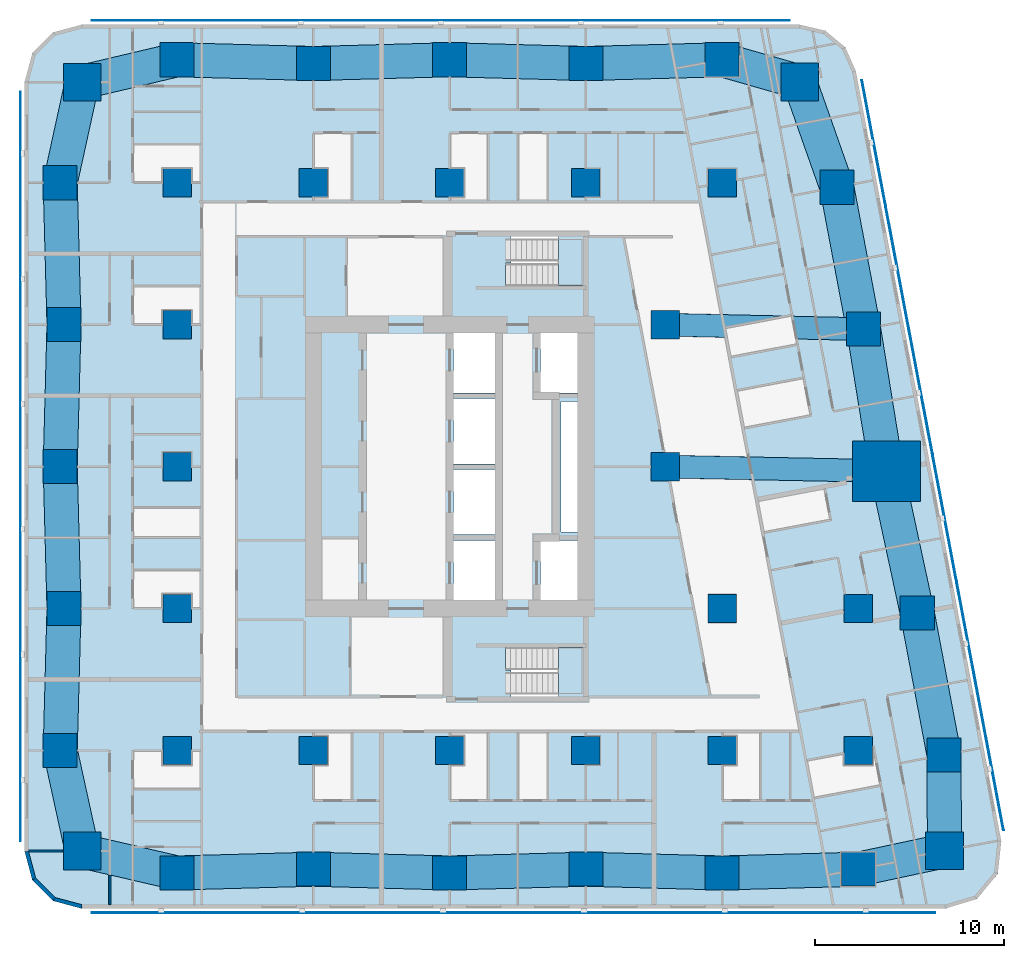
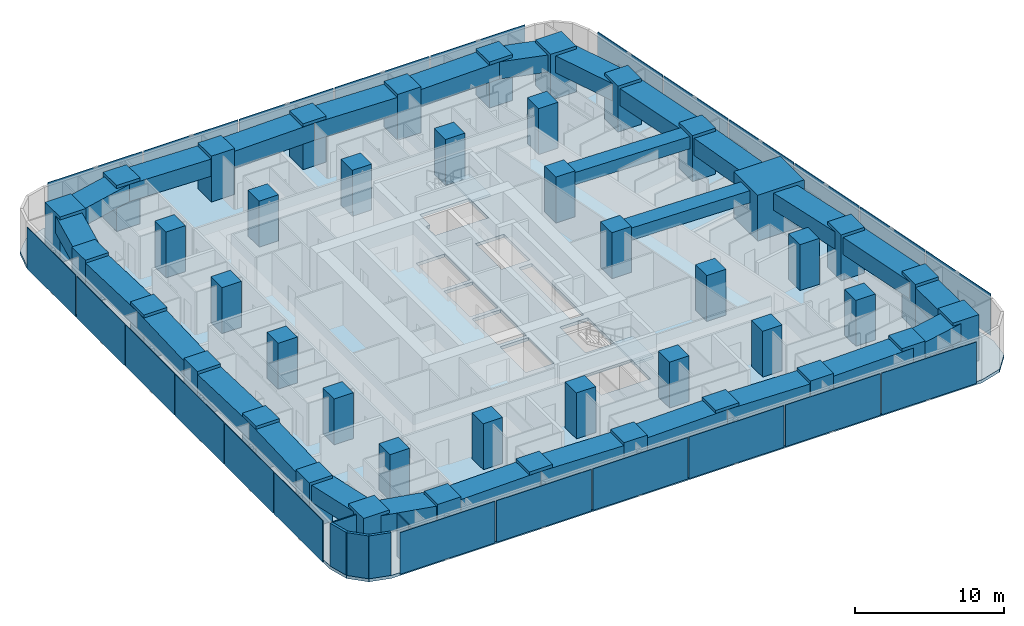
# One storey, part 1 of 15: 43 columns, 27 beams, 23 plates, 5 walls, 3 slabs, 2 elements without a shape of their own.
"""IFC4 building model written with IfcOpenShell, lengths in metres."""

from ifc_helpers import new_model, si_unit, direction, frame, frame_2d, origin, origin_2d, place, context, subcontext, project, spatial, polyline, rectangle, outline, extrude, material, layer, layer_set, material_profile, profile_set, type_object, element, aggregate, save


model = new_model("IFC4")

# Units and contexts
model_context = context("Model", 3, precision=1e-05, world=origin(), true_north=direction((0.0, 1.0)))
body_context = subcontext(model_context, "Body", "Model", "MODEL_VIEW")
ifc_project = project(units=[si_unit("LENGTHUNIT", "METRE"), si_unit("AREAUNIT", "SQUARE_METRE"), si_unit("VOLUMEUNIT", "CUBIC_METRE"), si_unit("PLANEANGLEUNIT", "RADIAN"), si_unit("MASSUNIT", "GRAM", prefix="KILO")], contexts=[model_context])

# Site, building, storey
site_placement = place(None, origin())
site = spatial("IfcSite", under=ifc_project, at=site_placement, CompositionType="ELEMENT")
building_placement = place(site_placement, origin())
building = spatial("IfcBuilding", under=site, at=building_placement, Name="Sheger Commons Tower", CompositionType="ELEMENT")
storey_placement = place(building_placement, frame((0.0, 0.0, 139.550048828125)))
storey = spatial("IfcBuildingStorey", under=building, at=storey_placement, Name="L35", CompositionType="ELEMENT", Elevation=139.550048828125)

# Columns
ifc_material_1 = material(Name="Concrete C50/60", Category="concrete")
ifc_material_profile_1 = material_profile(ifc_material_1, rectangle(XDim=3.60009765625, YDim=3.199951171875, at=origin_2d()), Name="RC 3600x3200")
ifc_profile_set_1 = profile_set([ifc_material_profile_1], Name="Concrete C50/60")
column_type_1 = type_object("IfcColumnType", Name="COLUMN PIER RC 3600x3200", PredefinedType="COLUMN", material=ifc_profile_set_1)
column_placement = place(storey_placement, frame((44.697021484375, 22.262939453125, 0.0), z_axis=(0.0, 0.0, 1.0), x_axis=(1.0, 0.0, 0.0)))
element("IfcColumn", 1, at=column_placement, inside=storey, type_object=column_type_1, Name="Pier 7/D+E/D L35", PredefinedType="COLUMN", context=body_context, shape_type="SweptSolid", body=[
    extrude(rectangle(XDim=3.60009765625, YDim=3.199951171875, at=origin_2d()), origin(), (0.0, 0.0, 1.0), 3.75),
])
ifc_material_2 = material(Name="Concrete C50/60", Category="concrete")
ifc_material_profile_2 = material_profile(ifc_material_2, rectangle(XDim=1.5, YDim=1.5, at=origin_2d()), Name="RC 1500x1500")
ifc_profile_set_2 = profile_set([ifc_material_profile_2], Name="Concrete C50/60")
column_type_2 = type_object("IfcColumnType", Name="COLUMN RC 1500x1500", PredefinedType="COLUMN", material=ifc_profile_set_2)
for number, where, z_axis, x_axis, name in (
    (2, (7.199951171875, 7.5, 0.0), (0.0, 0.0, 1.0), (1.0, 0.0, 0.0), "Column 2/B L35"),
    (3, (14.39990234375, 7.5, 0.0), (0.0, 0.0, 1.0), (1.0, 0.0, 0.0), "Column 3/B L35"),
    (4, (21.60009765625, 7.5, 0.0), (0.0, 0.0, 1.0), (1.0, 0.0, 0.0), "Column 4/B L35"),
    (5, (28.800048828125, 7.5, 0.0), (0.0, 0.0, 1.0), (1.0, 0.0, 0.0), "Column 5/B L35"),
    (6, (36.0, 7.5, 0.0), (0.0, 0.0, 1.0), (1.0, 0.0, 0.0), "Column 6/B L35"),
    (7, (43.199951171875, 7.5, 0.0), (0.0, 0.0, 1.0), (1.0, 0.0, 0.0), "Column 7/B L35"),
    (8, (7.199951171875, 15.0, 0.0), (0.0, 0.0, 1.0), (1.0, 0.0, 0.0), "Column 2/C L35"),
    (9, (36.0, 15.0, 0.0), (0.0, 0.0, 1.0), (1.0, 0.0, 0.0), "Column 6/C L35"),
    (10, (43.199951171875, 15.0, 0.0), (0.0, 0.0, 1.0), (1.0, 0.0, 0.0), "Column 7/C L35"),
    (11, (7.199951171875, 22.5, 0.0), (0.0, 0.0, 1.0), (1.0, 0.0, 0.0), "Column 2/D L35"),
    (12, (33.0, 22.5, 0.0), (0.0, 0.0, 1.0), (1.0, 0.0, 0.0), "Column 6-3000/D L35"),
    (13, (7.199951171875, 30.0, 0.0), (0.0, 0.0, 1.0), (1.0, 0.0, 0.0), "Column 2/E L35"),
    (14, (33.0, 30.0, 0.0), (0.0, 0.0, 1.0), (1.0, 0.0, 0.0), "Column 6-3000/E L35"),
    (15, (7.199951171875, 37.5, 0.0), (0.0, 0.0, 1.0), (1.0, 0.0, 0.0), "Column 2/F L35"),
    (16, (14.39990234375, 37.5, 0.0), (0.0, 0.0, 1.0), (1.0, 0.0, 0.0), "Column 3/F L35"),
    (17, (21.60009765625, 37.5, 0.0), (0.0, 0.0, 1.0), (1.0, 0.0, 0.0), "Column 4/F L35"),
    (18, (28.800048828125, 37.5, 0.0), (0.0, 0.0, 1.0), (1.0, 0.0, 0.0), "Column 5/F L35"),
    (19, (36.0, 37.5, 0.0), (0.0, 0.0, 1.0), (1.0, 0.0, 0.0), "Column 6/F L35"),
):
    element("IfcColumn", number, at=place(storey_placement, frame(where, z_axis=z_axis, x_axis=x_axis)), inside=storey, type_object=column_type_2, Name=name, PredefinedType="COLUMN", context=body_context, shape_type="SweptSolid", body=[
        extrude(rectangle(XDim=1.5, YDim=1.5, at=origin_2d()), origin(), (0.0, 0.0, 1.0), 3.75),
    ])
ifc_material_3 = material(Name="Concrete C50/60", Category="concrete")
ifc_material_profile_3 = material_profile(ifc_material_3, rectangle(XDim=1.800048828125, YDim=1.800048828125, at=origin_2d()), Name="RC 1800x1800")
ifc_profile_set_3 = profile_set([ifc_material_profile_3], Name="Concrete C50/60")
column_type_3 = type_object("IfcColumnType", Name="COLUMN RC 1800x1800", PredefinedType="COLUMN", material=ifc_profile_set_3)
for number, where, z_axis, x_axis, name in (
    (20, (7.199951171875, 1.02490234375, 0.0), (0.0, 0.0, 1.0), (1.0, 0.0, 0.0), "Column 2/A L35"),
    (21, (14.39990234375, 1.22509765625, 0.0), (0.0, 0.0, 1.0), (1.0, 0.0, 0.0), "Column 3/A L35"),
    (22, (21.60009765625, 1.02490234375, 0.0), (0.0, 0.0, 1.0), (1.0, 0.0, 0.0), "Column 4/A L35"),
    (23, (28.800048828125, 1.22509765625, 0.0), (0.0, 0.0, 1.0), (1.0, 0.0, 0.0), "Column 5/A L35"),
    (24, (36.0, 1.02490234375, 0.0), (0.0, 0.0, 1.0), (1.0, 0.0, 0.0), "Column 6/A L35"),
    (25, (43.199951171875, 1.22509765625, 0.0), (0.0, 0.0, 1.0), (1.0, 0.0, 0.0), "Column 7/A L35"),
    (26, (1.02490234375, 7.5, 0.0), (0.0, 0.0, 1.0), (1.0, 0.0, 0.0), "Column 1/B L35"),
    (27, (47.72998046875, 7.262939453125, 0.0), (0.0, 0.0, 1.0), (1.0, 0.0, 0.0), "Column E/B L35"),
    (28, (1.22509765625, 15.0, 0.0), (0.0, 0.0, 1.0), (1.0, 0.0, 0.0), "Column 1/C L35"),
    (29, (46.31396484375, 14.762939453125, 0.0), (0.0, 0.0, 1.0), (1.0, 0.0, 0.0), "Column E/C L35"),
    (30, (1.02490234375, 22.5, 0.0), (0.0, 0.0, 1.0), (1.0, 0.0, 0.0), "Column 1/D L35"),
    (31, (1.22509765625, 30.0, 0.0), (0.0, 0.0, 1.0), (1.0, 0.0, 0.0), "Column 1/E L35"),
    (32, (43.47998046875, 29.762939453125, 0.0), (0.0, 0.0, 1.0), (1.0, 0.0, 0.0), "Column E/E L35"),
    (33, (1.02490234375, 37.5, 0.0), (0.0, 0.0, 1.0), (1.0, 0.0, 0.0), "Column 1/F L35"),
    (34, (42.06396484375, 37.262939453125, 0.0), (0.0, 0.0, 1.0), (1.0, 0.0, 0.0), "Column E/F L35"),
    (35, (7.199951171875, 44.0, 0.0), (0.0, 0.0, 1.0), (1.0, 0.0, 0.0), "Column 2/G L35"),
    (36, (14.39990234375, 43.800048828125, 0.0), (0.0, 0.0, 1.0), (1.0, 0.0, 0.0), "Column 3/G L35"),
    (37, (21.60009765625, 44.0, 0.0), (0.0, 0.0, 1.0), (1.0, 0.0, 0.0), "Column 4/G L35"),
    (38, (28.800048828125, 43.800048828125, 0.0), (0.0, 0.0, 1.0), (1.0, 0.0, 0.0), "Column 5/G L35"),
    (39, (36.0, 44.0, 0.0), (0.0, 0.0, 1.0), (1.0, 0.0, 0.0), "Column 6/G L35"),
):
    element("IfcColumn", number, at=place(storey_placement, frame(where, z_axis=z_axis, x_axis=x_axis)), inside=storey, type_object=column_type_3, Name=name, PredefinedType="COLUMN", context=body_context, shape_type="SweptSolid", body=[
        extrude(rectangle(XDim=1.800048828125, YDim=1.800048828125, at=origin_2d()), origin(), (0.0, 0.0, 1.0), 3.75),
    ])
ifc_material_4 = material(Name="Concrete C50/60", Category="concrete")
ifc_material_profile_4 = material_profile(ifc_material_4, rectangle(XDim=2.0, YDim=2.0, at=origin_2d()), Name="RC 2000x2000")
ifc_profile_set_4 = profile_set([ifc_material_profile_4], Name="Concrete C50/60")
column_type_4 = type_object("IfcColumnType", Name="COLUMN RC 2000x2000", PredefinedType="COLUMN", material=ifc_profile_set_4)
for number, where, z_axis, x_axis, name in (
    (40, (2.18603515625, 2.18603515625, 0.0), (0.0, 0.0, 1.0), (1.0, 0.0, 0.0), "Column 0.630,0.630 L35"),
    (41, (47.748046875, 2.197021484375, 0.0), (0.0, 0.0, 1.0), (1.0, 0.0, 0.0), "Column 49.461,0.778 L35"),
    (42, (2.18603515625, 42.81396484375, 0.0), (0.0, 0.0, 1.0), (1.0, 0.0, 0.0), "Column 0.630,44.370 L35"),
    (43, (40.10205078125, 42.830078125, 0.0), (0.0, 0.0, 1.0), (1.0, 0.0, 0.0), "Column 41.490,44.505 L35"),
):
    element("IfcColumn", number, at=place(storey_placement, frame(where, z_axis=z_axis, x_axis=x_axis)), inside=storey, type_object=column_type_4, Name=name, PredefinedType="COLUMN", context=body_context, shape_type="SweptSolid", body=[
        extrude(rectangle(XDim=2.0, YDim=2.0, at=origin_2d()), origin(), (0.0, 0.0, 1.0), 3.75),
    ])

# Beams
ifc_material_5 = material(Name="Concrete C50/60", Category="concrete")
ifc_material_profile_5 = material_profile(ifc_material_5, rectangle(XDim=1.199951171875, YDim=1.0, at=origin_2d()), Name="RC 1200x1000")
ifc_profile_set_5 = profile_set([ifc_material_profile_5], Name="Concrete C50/60")
beam_type_1 = type_object("IfcBeamType", Name="BEAM RC 1200x1000", PredefinedType="BEAM", material=ifc_profile_set_5)
beam_1_placement = place(storey_placement, frame((33.0, 22.5, 3.0), z_axis=(0.999794692776, -0.02026258368, 0.0), x_axis=(0.02026258368, 0.999794692776, 0.0)))
element("IfcBeam", 44, at=beam_1_placement, inside=storey, type_object=beam_type_1, Name="Beam 6-3000/D-7/D under L36", PredefinedType="BEAM", context=body_context, shape_type="SweptSolid", body=[
    extrude(rectangle(XDim=1.199951171875, YDim=1.0, at=origin_2d()), origin(), (0.0, 0.0, 1.0), 11.699462890625),
])
beam_2_placement = place(storey_placement, frame((33.0, 30.0, 3.0), z_axis=(0.999744258625, -0.022614538395, 0.0), x_axis=(0.022614538395, 0.999744258625, 0.0)))
element("IfcBeam", 45, at=beam_2_placement, inside=storey, type_object=beam_type_1, Name="Beam 6-3000/E-E/E under L36", PredefinedType="BEAM", context=body_context, shape_type="SweptSolid", body=[
    extrude(rectangle(XDim=1.199951171875, YDim=1.0, at=origin_2d()), origin(), (0.0, 0.0, 1.0), 10.482666015625),
])
ifc_material_6 = material(Name="Concrete C50/60", Category="concrete")
ifc_material_profile_6 = material_profile(ifc_material_6, rectangle(XDim=1.800048828125, YDim=1.39990234375, at=origin_2d()), Name="RC 1800x1400")
ifc_profile_set_6 = profile_set([ifc_material_profile_6], Name="Concrete C50/60")
beam_type_2 = type_object("IfcBeamType", Name="SPANDREL RC 1800x1400", PredefinedType="SPANDREL", material=ifc_profile_set_6)
beam_3_placement = place(storey_placement, frame((2.18603515625, 2.18603515625, 2.800048828125), z_axis=(0.974217413499, -0.225611239159, 0.0), x_axis=(0.225611239159, 0.974217413499, 0.0)))
element("IfcBeam", 46, at=beam_3_placement, inside=storey, type_object=beam_type_2, Name="Beam 0.630,0.630-2/A under L36", PredefinedType="SPANDREL", context=body_context, shape_type="SweptSolid", body=[
    extrude(rectangle(XDim=1.800048828125, YDim=1.39990234375, at=origin_2d()), origin(), (0.0, 0.0, 1.0), 5.146728515625),
])
beam_4_placement = place(storey_placement, frame((7.199951171875, 1.02490234375, 2.800048828125), z_axis=(0.9996136624, 0.027794350926, 0.0), x_axis=(-0.027794350926, 0.9996136624, 0.0)))
element("IfcBeam", 47, at=beam_4_placement, inside=storey, type_object=beam_type_2, Name="Beam 2/A-3/A under L36", PredefinedType="SPANDREL", context=body_context, shape_type="SweptSolid", body=[
    extrude(rectangle(XDim=1.800048828125, YDim=1.39990234375, at=origin_2d()), origin(), (0.0, 0.0, 1.0), 7.20263671875),
])
beam_5_placement = place(storey_placement, frame((14.39990234375, 1.22509765625, 2.800048828125), z_axis=(0.999613688584, -0.027793409217, 0.0), x_axis=(0.027793409217, 0.999613688584, 0.0)))
element("IfcBeam", 48, at=beam_5_placement, inside=storey, type_object=beam_type_2, Name="Beam 3/A-4/A under L36", PredefinedType="SPANDREL", context=body_context, shape_type="SweptSolid", body=[
    extrude(rectangle(XDim=1.800048828125, YDim=1.39990234375, at=origin_2d()), origin(), (0.0, 0.0, 1.0), 7.202880859375),
])
for number, where, z_axis, x_axis, name in (
    (49, (21.60009765625, 1.02490234375, 2.800048828125), (0.9996136624, 0.027794350926, 0.0), (-0.027794350926, 0.9996136624, 0.0), "Beam 4/A-5/A under L36"),
    (50, (28.800048828125, 1.22509765625, 2.800048828125), (0.9996136624, -0.027794350926, 0.0), (0.027794350926, 0.9996136624, 0.0), "Beam 5/A-6/A under L36"),
    (51, (36.0, 1.02490234375, 2.800048828125), (0.9996136624, 0.027794350926, 0.0), (-0.027794350926, 0.9996136624, 0.0), "Beam 6/A-7/A under L36"),
):
    element("IfcBeam", number, at=place(storey_placement, frame(where, z_axis=z_axis, x_axis=x_axis)), inside=storey, type_object=beam_type_2, Name=name, PredefinedType="SPANDREL", context=body_context, shape_type="SweptSolid", body=[
        extrude(rectangle(XDim=1.800048828125, YDim=1.39990234375, at=origin_2d()), origin(), (0.0, 0.0, 1.0), 7.20263671875),
    ])
beam_6_placement = place(storey_placement, frame((43.199951171875, 1.22509765625, 2.800048828125), z_axis=(0.977919796671, 0.208980552394, 0.0), x_axis=(-0.208980552394, 0.977919796671, 0.0)))
element("IfcBeam", 52, at=beam_6_placement, inside=storey, type_object=beam_type_2, Name="Beam 7/A-49.461,0.778 under L36", PredefinedType="SPANDREL", context=body_context, shape_type="SweptSolid", body=[
    extrude(rectangle(XDim=1.800048828125, YDim=1.39990234375, at=origin_2d()), origin(), (0.0, 0.0, 1.0), 4.65087890625),
])
beam_7_placement = place(storey_placement, frame((47.748046875, 2.197021484375, 2.800048828125), z_axis=(-0.003566242382, 0.999993640937, 0.0), x_axis=(-0.999993640937, -0.003566242382, 0.0)))
element("IfcBeam", 53, at=beam_7_placement, inside=storey, type_object=beam_type_2, Name="Beam 49.461,0.778-E/B under L36", PredefinedType="SPANDREL", context=body_context, shape_type="SweptSolid", body=[
    extrude(rectangle(XDim=1.800048828125, YDim=1.39990234375, at=origin_2d()), origin(), (0.0, 0.0, 1.0), 5.06591796875),
])
beam_8_placement = place(storey_placement, frame((47.72998046875, 7.262939453125, 2.800048828125), z_axis=(-0.18552441405, 0.982639655108, 0.0), x_axis=(-0.982639655108, -0.18552441405, 0.0)))
element("IfcBeam", 54, at=beam_8_placement, inside=storey, type_object=beam_type_2, Name="Beam E/B-E/C under L36", PredefinedType="SPANDREL", context=body_context, shape_type="SweptSolid", body=[
    extrude(rectangle(XDim=1.800048828125, YDim=1.39990234375, at=origin_2d()), origin(), (0.0, 0.0, 1.0), 7.632568359375),
])
beam_9_placement = place(storey_placement, frame((46.31396484375, 14.762939453125, 2.800048828125), z_axis=(-0.210750229323, 0.977539943348, 0.0), x_axis=(-0.977539943348, -0.210750229323, 0.0)))
element("IfcBeam", 55, at=beam_9_placement, inside=storey, type_object=beam_type_2, Name="Beam E/C-E/D under L36", PredefinedType="SPANDREL", context=body_context, shape_type="SweptSolid", body=[
    extrude(rectangle(XDim=1.800048828125, YDim=1.39990234375, at=origin_2d()), origin(), (0.0, 0.0, 1.0), 7.67236328125),
])
beam_10_placement = place(storey_placement, frame((44.697021484375, 22.262939453125, 2.800048828125), z_axis=(-0.160176929512, 0.987088319884, 0.0), x_axis=(-0.987088319884, -0.160176929512, 0.0)))
element("IfcBeam", 56, at=beam_10_placement, inside=storey, type_object=beam_type_2, Name="Beam E/D-E/E under L36", PredefinedType="SPANDREL", context=body_context, shape_type="SweptSolid", body=[
    extrude(rectangle(XDim=1.800048828125, YDim=1.39990234375, at=origin_2d()), origin(), (0.0, 0.0, 1.0), 7.59814453125),
])
beam_11_placement = place(storey_placement, frame((43.47998046875, 29.762939453125, 2.800048828125), z_axis=(-0.18552441405, 0.982639655108, 0.0), x_axis=(-0.982639655108, -0.18552441405, 0.0)))
element("IfcBeam", 57, at=beam_11_placement, inside=storey, type_object=beam_type_2, Name="Beam E/E-E/F under L36", PredefinedType="SPANDREL", context=body_context, shape_type="SweptSolid", body=[
    extrude(rectangle(XDim=1.800048828125, YDim=1.39990234375, at=origin_2d()), origin(), (0.0, 0.0, 1.0), 7.632568359375),
])
beam_12_placement = place(storey_placement, frame((42.06396484375, 37.262939453125, 2.800048828125), z_axis=(-0.332374403357, 0.943147526102, 0.0), x_axis=(-0.943147526102, -0.332374403357, 0.0)))
element("IfcBeam", 58, at=beam_12_placement, inside=storey, type_object=beam_type_2, Name="Beam E/F-41.490,44.505 under L36", PredefinedType="SPANDREL", context=body_context, shape_type="SweptSolid", body=[
    extrude(rectangle(XDim=1.800048828125, YDim=1.39990234375, at=origin_2d()), origin(), (0.0, 0.0, 1.0), 5.90283203125),
])
beam_13_placement = place(storey_placement, frame((40.10205078125, 42.830078125, 2.800048828125), z_axis=(-0.961653428129, 0.274267541221, 0.0), x_axis=(-0.274267541221, -0.961653428129, 0.0)))
element("IfcBeam", 59, at=beam_13_placement, inside=storey, type_object=beam_type_2, Name="Beam 41.490,44.505-6/G under L36", PredefinedType="SPANDREL", context=body_context, shape_type="SweptSolid", body=[
    extrude(rectangle(XDim=1.800048828125, YDim=1.39990234375, at=origin_2d()), origin(), (0.0, 0.0, 1.0), 4.265625),
])
for number, where, z_axis, x_axis, name in (
    (60, (36.0, 44.0, 2.800048828125), (-0.999614603568, -0.027760481514, 0.0), (0.027760481514, -0.999614603568, 0.0), "Beam 6/G-5/G under L36"),
    (61, (28.800048828125, 43.800048828125, 2.800048828125), (-0.999614603568, 0.027760481514, 0.0), (-0.027760481514, -0.999614603568, 0.0), "Beam 5/G-4/G under L36"),
):
    element("IfcBeam", number, at=place(storey_placement, frame(where, z_axis=z_axis, x_axis=x_axis)), inside=storey, type_object=beam_type_2, Name=name, PredefinedType="SPANDREL", context=body_context, shape_type="SweptSolid", body=[
        extrude(rectangle(XDim=1.800048828125, YDim=1.39990234375, at=origin_2d()), origin(), (0.0, 0.0, 1.0), 7.20263671875),
    ])
beam_14_placement = place(storey_placement, frame((21.60009765625, 44.0, 2.800048828125), z_axis=(-0.999614629688, -0.027759540951, 0.0), x_axis=(0.027759540951, -0.999614629688, 0.0)))
element("IfcBeam", 62, at=beam_14_placement, inside=storey, type_object=beam_type_2, Name="Beam 4/G-3/G under L36", PredefinedType="SPANDREL", context=body_context, shape_type="SweptSolid", body=[
    extrude(rectangle(XDim=1.800048828125, YDim=1.39990234375, at=origin_2d()), origin(), (0.0, 0.0, 1.0), 7.202880859375),
])
beam_15_placement = place(storey_placement, frame((14.39990234375, 43.800048828125, 2.800048828125), z_axis=(-0.999614603568, 0.027760481514, 0.0), x_axis=(-0.027760481514, -0.999614603568, 0.0)))
element("IfcBeam", 63, at=beam_15_placement, inside=storey, type_object=beam_type_2, Name="Beam 3/G-2/G under L36", PredefinedType="SPANDREL", context=body_context, shape_type="SweptSolid", body=[
    extrude(rectangle(XDim=1.800048828125, YDim=1.39990234375, at=origin_2d()), origin(), (0.0, 0.0, 1.0), 7.20263671875),
])
beam_16_placement = place(storey_placement, frame((7.199951171875, 44.0, 2.800048828125), z_axis=(-0.97314428949, -0.230195985701, 0.0), x_axis=(0.230195985701, -0.97314428949, 0.0)))
element("IfcBeam", 64, at=beam_16_placement, inside=storey, type_object=beam_type_2, Name="Beam 2/G-0.630,44.370 under L36", PredefinedType="SPANDREL", context=body_context, shape_type="SweptSolid", body=[
    extrude(rectangle(XDim=1.800048828125, YDim=1.39990234375, at=origin_2d()), origin(), (0.0, 0.0, 1.0), 5.15234375),
])
beam_17_placement = place(storey_placement, frame((2.18603515625, 42.81396484375, 2.800048828125), z_axis=(-0.213469314652, -0.976949769283, 0.0), x_axis=(0.976949769283, -0.213469314652, 0.0)))
element("IfcBeam", 65, at=beam_17_placement, inside=storey, type_object=beam_type_2, Name="Beam 0.630,44.370-1/F under L36", PredefinedType="SPANDREL", context=body_context, shape_type="SweptSolid", body=[
    extrude(rectangle(XDim=1.800048828125, YDim=1.39990234375, at=origin_2d()), origin(), (0.0, 0.0, 1.0), 5.439453125),
])
for number, where, z_axis, x_axis, name in (
    (66, (1.02490234375, 37.5, 2.800048828125), (0.026683204125, -0.999643939919, 0.0), (0.999643939919, 0.026683204125, 0.0), "Beam 1/F-1/E under L36"),
    (67, (1.22509765625, 30.0, 2.800048828125), (-0.026683204125, -0.999643939919, 0.0), (0.999643939919, -0.026683204125, 0.0), "Beam 1/E-1/D under L36"),
    (68, (1.02490234375, 22.5, 2.800048828125), (0.026683204125, -0.999643939919, 0.0), (0.999643939919, 0.026683204125, 0.0), "Beam 1/D-1/C under L36"),
    (69, (1.22509765625, 15.0, 2.800048828125), (-0.026683204125, -0.999643939919, 0.0), (0.999643939919, -0.026683204125, 0.0), "Beam 1/C-1/B under L36"),
):
    element("IfcBeam", number, at=place(storey_placement, frame(where, z_axis=z_axis, x_axis=x_axis)), inside=storey, type_object=beam_type_2, Name=name, PredefinedType="SPANDREL", context=body_context, shape_type="SweptSolid", body=[
        extrude(rectangle(XDim=1.800048828125, YDim=1.39990234375, at=origin_2d()), origin(), (0.0, 0.0, 1.0), 7.502685546875),
    ])
beam_18_placement = place(storey_placement, frame((1.02490234375, 7.5, 2.800048828125), z_axis=(0.213469314652, -0.976949769283, 0.0), x_axis=(0.976949769283, 0.213469314652, 0.0)))
element("IfcBeam", 70, at=beam_18_placement, inside=storey, type_object=beam_type_2, Name="Beam 1/B-0.630,0.630 under L36", PredefinedType="SPANDREL", context=body_context, shape_type="SweptSolid", body=[
    extrude(rectangle(XDim=1.800048828125, YDim=1.39990234375, at=origin_2d()), origin(), (0.0, 0.0, 1.0), 5.439453125),
])

# Slab
ifc_material_7 = material(Name="Concrete C35/45", Category="concrete")
ifc_layer_1 = layer(ifc_material_7, 0.25)
ifc_layer_set_1 = layer_set([ifc_layer_1], Name="SLAB FLOOR 250")
slab_type_1 = type_object("IfcSlabType", Name="SLAB FLOOR 250", PredefinedType="FLOOR", material=ifc_layer_set_1)
slab_1_placement = place(storey_placement, frame((0.0, 0.0, -0.25)))
element("IfcSlab", 71, at=slab_1_placement, inside=storey, type_object=slab_type_1, Name="L35 floor slab", PredefinedType="FLOOR", context=body_context, shape_type="SweptSolid", body=[
    extrude(outline(polyline([(-0.85009765625, 2.14990234375), (-0.447998046875, 0.64990234375), (0.64990234375, -0.447998046875), (2.14990234375, -0.85009765625), (47.805908203125, -0.85009765625), (49.465087890625, -0.35009765625), (50.570068359375, 0.98388671875), (50.75390625, 2.70703125), (43.06591796875, 43.406982421875), (42.509033203125, 44.660888671875), (41.452880859375, 45.535888671875), (40.117919921875, 45.85009765625), (2.14990234375, 45.85009765625), (0.64990234375, 45.447998046875), (-0.447998046875, 44.35009765625), (-0.85009765625, 42.85009765625), (-0.85009765625, 2.14990234375)]), holes=[polyline([(24.85009765625, 10.35009765625), (28.64990234375, 10.35009765625), (28.64990234375, 12.949951171875), (24.551025390625, 12.949951171875), (24.551025390625, 11.75), (24.85009765625, 11.75), (24.85009765625, 10.35009765625)]), polyline([(24.551025390625, 32.050048828125), (28.64990234375, 32.050048828125), (28.64990234375, 34.64990234375), (24.85009765625, 34.64990234375), (24.85009765625, 33.25), (24.551025390625, 33.25), (24.551025390625, 32.050048828125)]), polyline([(26.39990234375, 15.14990234375), (28.60009765625, 15.14990234375), (28.60009765625, 18.60009765625), (26.39990234375, 18.60009765625), (26.39990234375, 15.14990234375)]), polyline([(26.39990234375, 26.39990234375), (28.60009765625, 26.39990234375), (28.60009765625, 29.85009765625), (26.39990234375, 29.85009765625), (26.39990234375, 26.39990234375)]), polyline([(21.800048828125, 15.14990234375), (24.0, 15.14990234375), (24.0, 18.60009765625), (21.800048828125, 18.60009765625), (21.800048828125, 15.14990234375)]), polyline([(21.800048828125, 18.89990234375), (24.0, 18.89990234375), (24.0, 22.35009765625), (21.800048828125, 22.35009765625), (21.800048828125, 18.89990234375)]), polyline([(21.800048828125, 22.64990234375), (24.0, 22.64990234375), (24.0, 26.10009765625), (21.800048828125, 26.10009765625), (21.800048828125, 22.64990234375)]), polyline([(21.800048828125, 26.39990234375), (24.0, 26.39990234375), (24.0, 29.85009765625), (21.800048828125, 29.85009765625), (21.800048828125, 26.39990234375)]), polyline([(27.5, 19.050048828125), (28.5, 19.050048828125), (28.5, 25.949951171875), (27.5, 25.949951171875), (27.5, 19.050048828125)])]), origin(), (0.0, 0.0, 1.0), 0.25),
])

# Plates
ifc_material_8 = material(Name="Perforated black anodised aluminium screen", Category="aluminium")
ifc_layer_2 = layer(ifc_material_8, 0.050048828125)
ifc_layer_set_2 = layer_set([ifc_layer_2], Name="SOLAR SCREEN SCREEN-1")
plate_type = type_object("IfcPlateType", Name="SOLAR SCREEN SCREEN-1", PredefinedType="USERDEFINED", material=ifc_layer_set_2)
for number, where, z_axis, x_axis, name in (
    (72, (6.37109375, -1.074951171875, 0.050048828125), (0.0, 0.0, 1.0), (1.0, 0.0, 0.0), "Perforated solar screen panel"),
    (73, (13.81396484375, -1.074951171875, 0.050048828125), (0.0, 0.0, 1.0), (1.0, 0.0, 0.0), "Perforated solar screen panel"),
    (74, (21.257080078125, -1.074951171875, 0.050048828125), (0.0, 0.0, 1.0), (1.0, 0.0, 0.0), "Perforated solar screen panel"),
    (75, (28.698974609375, -1.074951171875, 0.050048828125), (0.0, 0.0, 1.0), (1.0, 0.0, 0.0), "Perforated solar screen panel"),
    (76, (36.14208984375, -1.074951171875, 0.050048828125), (0.0, 0.0, 1.0), (1.0, 0.0, 0.0), "Perforated solar screen panel"),
    (77, (43.5849609375, -1.074951171875, 0.050048828125), (0.0, 0.0, 1.0), (1.0, 0.0, 0.0), "Perforated solar screen panel"),
):
    element("IfcPlate", number, at=place(storey_placement, frame(where, z_axis=z_axis, x_axis=x_axis)), inside=storey, type_object=plate_type, Name=name, ObjectType="SCREEN", PredefinedType="USERDEFINED", context=body_context, shape_type="SweptSolid", body=[
        extrude(rectangle(XDim=7.343017578125, YDim=0.050048828125, at=origin_2d()), origin(), (0.0, 0.0, 1.0), 3.39990234375),
    ])
for number, where, z_axis, x_axis, name in (
    (78, (50.257080078125, 6.550048828125, 0.050048828125), (0.0, 0.0, 1.0), (-0.185615165645, 0.982622516678, 0.0), "Perforated solar screen panel"),
    (79, (49.007080078125, 13.1689453125, 0.050048828125), (0.0, 0.0, 1.0), (-0.185615165645, 0.982622516678, 0.0), "Perforated solar screen panel"),
    (80, (47.756103515625, 19.7890625, 0.050048828125), (0.0, 0.0, 1.0), (-0.185615165645, 0.982622516678, 0.0), "Perforated solar screen panel"),
    (81, (46.506103515625, 26.408935546875, 0.050048828125), (0.0, 0.0, 1.0), (-0.185615165645, 0.982622516678, 0.0), "Perforated solar screen panel"),
    (82, (45.2548828125, 33.028076171875, 0.050048828125), (0.0, 0.0, 1.0), (-0.185615165645, 0.982622516678, 0.0), "Perforated solar screen panel"),
    (83, (44.0048828125, 39.64794921875, 0.050048828125), (0.0, 0.0, 1.0), (-0.185615165645, 0.982622516678, 0.0), "Perforated solar screen panel"),
):
    element("IfcPlate", number, at=place(storey_placement, frame(where, z_axis=z_axis, x_axis=x_axis)), inside=storey, type_object=plate_type, Name=name, ObjectType="SCREEN", PredefinedType="USERDEFINED", context=body_context, shape_type="SweptSolid", body=[
        extrude(rectangle(XDim=6.636962890625, YDim=0.050048828125, at=origin_2d()), origin(), (0.0, 0.0, 1.0), 3.39990234375),
    ])
for number, where, z_axis, x_axis, name in (
    (84, (35.9208984375, 46.074951171875, 0.050048828125), (0.0, 0.0, 1.0), (-1.0, 0.0, 0.0), "Perforated solar screen panel"),
    (85, (28.528076171875, 46.074951171875, 0.050048828125), (0.0, 0.0, 1.0), (-1.0, 0.0, 0.0), "Perforated solar screen panel"),
    (86, (21.134033203125, 46.074951171875, 0.050048828125), (0.0, 0.0, 1.0), (-1.0, 0.0, 0.0), "Perforated solar screen panel"),
    (87, (13.739990234375, 46.074951171875, 0.050048828125), (0.0, 0.0, 1.0), (-1.0, 0.0, 0.0), "Perforated solar screen panel"),
    (88, (6.346923828125, 46.074951171875, 0.050048828125), (0.0, 0.0, 1.0), (-1.0, 0.0, 0.0), "Perforated solar screen panel"),
):
    element("IfcPlate", number, at=place(storey_placement, frame(where, z_axis=z_axis, x_axis=x_axis)), inside=storey, type_object=plate_type, Name=name, ObjectType="SCREEN", PredefinedType="USERDEFINED", context=body_context, shape_type="SweptSolid", body=[
        extrude(rectangle(XDim=7.2939453125, YDim=0.050048828125, at=origin_2d()), origin(), (0.0, 0.0, 1.0), 3.39990234375),
    ])
for number, where, z_axis, x_axis, name in (
    (89, (-1.074951171875, 39.0419921875, 0.050048828125), (0.0, 0.0, 1.0), (0.0, -1.0, 0.0), "Perforated solar screen panel"),
    (90, (-1.074951171875, 32.425048828125, 0.050048828125), (0.0, 0.0, 1.0), (0.0, -1.0, 0.0), "Perforated solar screen panel"),
    (91, (-1.074951171875, 25.80810546875, 0.050048828125), (0.0, 0.0, 1.0), (0.0, -1.0, 0.0), "Perforated solar screen panel"),
    (92, (-1.074951171875, 19.19189453125, 0.050048828125), (0.0, 0.0, 1.0), (0.0, -1.0, 0.0), "Perforated solar screen panel"),
    (93, (-1.074951171875, 12.574951171875, 0.050048828125), (0.0, 0.0, 1.0), (0.0, -1.0, 0.0), "Perforated solar screen panel"),
    (94, (-1.074951171875, 5.9580078125, 0.050048828125), (0.0, 0.0, 1.0), (0.0, -1.0, 0.0), "Perforated solar screen panel"),
):
    element("IfcPlate", number, at=place(storey_placement, frame(where, z_axis=z_axis, x_axis=x_axis)), inside=storey, type_object=plate_type, Name=name, ObjectType="SCREEN", PredefinedType="USERDEFINED", context=body_context, shape_type="SweptSolid", body=[
        extrude(rectangle(XDim=6.51708984375, YDim=0.050048828125, at=origin_2d()), origin(), (0.0, 0.0, 1.0), 3.39990234375),
    ])

# Stair, slab
ifc_material_9 = material(Name="Concrete C35/45", Category="concrete")
stair_type = type_object("IfcStairType", Name="HALF-TURN STAIR 1200 RISE 3750", PredefinedType="HALF_TURN_STAIR", material=ifc_material_9)
stair_1_placement = place(storey_placement, origin())
stair_1 = element("IfcStair", 95, at=stair_1_placement, inside=storey, type_object=stair_type, Name="Stair S1 L35", PredefinedType="HALF_TURN_STAIR")
ifc_material_10 = material(Name="Concrete C35/45", Category="concrete")
ifc_layer_3 = layer(ifc_material_10, 0.199951171875)
ifc_layer_set_3 = layer_set([ifc_layer_3], Name="STAIR LANDING 200")
slab_type_2 = type_object("IfcSlabType", Name="STAIR LANDING 200", PredefinedType="LANDING", material=ifc_layer_set_3)
slab_2_placement = place(storey_placement, frame((0.0, 0.0, 1.675048828125)))
slab_2 = element("IfcSlab", 96, at=slab_2_placement, type_object=slab_type_2, Name="S1 landing 1", PredefinedType="LANDING", context=body_context, shape_type="SweptSolid", body=[
    extrude(outline(polyline([(27.35009765625, 10.199951171875), (28.800048828125, 10.199951171875), (28.800048828125, 12.949951171875), (27.35009765625, 12.949951171875), (27.35009765625, 10.199951171875)])), origin(), (0.0, 0.0, 1.0), 0.199951171875),
])
aggregate(stair_1, [slab_2])

stair_2_placement = place(storey_placement, origin())
stair_2 = element("IfcStair", 97, at=stair_2_placement, inside=storey, type_object=stair_type, Name="Stair S2 L35", PredefinedType="HALF_TURN_STAIR")
slab_3_placement = place(storey_placement, frame((0.0, 0.0, 1.675048828125)))
slab_3 = element("IfcSlab", 98, at=slab_3_placement, type_object=slab_type_2, Name="S2 landing 1", PredefinedType="LANDING", context=body_context, shape_type="SweptSolid", body=[
    extrude(outline(polyline([(27.35009765625, 32.050048828125), (28.800048828125, 32.050048828125), (28.800048828125, 34.800048828125), (27.35009765625, 34.800048828125), (27.35009765625, 32.050048828125)])), origin(), (0.0, 0.0, 1.0), 0.199951171875),
])
aggregate(stair_2, [slab_3])

# Walls
ifc_material_11 = material(Name="Rendered concrete block masonry, dark grey", Category="masonry")
ifc_layer_4 = layer(ifc_material_11, 0.199951171875)
ifc_layer_set_4 = layer_set([ifc_layer_4], Name="FACADE WALL 200")
wall_type_1 = type_object("IfcWallType", Name="FACADE WALL 200", PredefinedType="SOLIDWALL", material=ifc_layer_set_4)
wall_1_placement = place(storey_placement, frame((-0.75, 2.1630859375, 0.0), z_axis=(0.0, 0.0, 1.0), x_axis=(0.259168954497, -0.965832000415, 0.0)))
element("IfcWall", 99, at=wall_1_placement, inside=storey, type_object=wall_type_1, Name="Facade wall L35", PredefinedType="SOLIDWALL", context=body_context, shape_type="SweptSolid", body=[
    extrude(rectangle(XDim=1.512939453125, YDim=0.199951171875, at=frame_2d((0.75634765625, 0.0))), origin(), (0.0, 0.0, 1.0), 3.5),
])
wall_2_placement = place(storey_placement, frame((-0.35791015625, 0.701904296875, 0.0), z_axis=(0.0, 0.0, 1.0), x_axis=(0.707106781187, -0.707106781187, 0.0)))
element("IfcWall", 100, at=wall_2_placement, inside=storey, type_object=wall_type_1, Name="Facade wall L35", PredefinedType="SOLIDWALL", context=body_context, shape_type="SweptSolid", body=[
    extrude(rectangle(XDim=1.498779296875, YDim=0.199951171875, at=frame_2d((0.74951171875, 0.0))), origin(), (0.0, 0.0, 1.0), 3.5),
])
wall_3_placement = place(storey_placement, frame((0.701904296875, -0.35791015625, 0.0), z_axis=(0.0, 0.0, 1.0), x_axis=(0.965832000415, -0.259168954497, 0.0)))
element("IfcWall", 101, at=wall_3_placement, inside=storey, type_object=wall_type_1, Name="Facade wall L35", PredefinedType="SOLIDWALL", context=body_context, shape_type="SweptSolid", body=[
    extrude(rectangle(XDim=1.512939453125, YDim=0.199951171875, at=frame_2d((0.75634765625, 0.0))), origin(), (0.0, 0.0, 1.0), 3.5),
])
ifc_material_12 = material(Name="Gypsum board on steel studs", Category="steel")
ifc_layer_5 = layer(ifc_material_12, 0.10009765625)
ifc_layer_set_5 = layer_set([ifc_layer_5], Name="PARTITION 100")
wall_type_2 = type_object("IfcWallType", Name="PARTITION 100", PredefinedType="PARTITIONING", material=ifc_layer_set_5)
wall_4_placement = place(storey_placement, frame((3.64990234375, -0.64990234375, 0.0), z_axis=(0.0, 0.0, 1.0), x_axis=(0.0, 1.0, 0.0)))
element("IfcWall", 102, at=wall_4_placement, inside=storey, type_object=wall_type_2, Name="Partition L35", PredefinedType="PARTITIONING", context=body_context, shape_type="SweptSolid", body=[
    extrude(rectangle(XDim=1.56201171875, YDim=0.10009765625, at=frame_2d((0.781005859375, 0.0))), origin(), (0.0, 0.0, 1.0), 3.5),
])
wall_5_placement = place(storey_placement, frame((-0.64990234375, 2.18603515625, 0.0), z_axis=(0.0, 0.0, 1.0), x_axis=(1.0, 0.0, 0.0)))
element("IfcWall", 103, at=wall_5_placement, inside=storey, type_object=wall_type_2, Name="Partition L35", PredefinedType="PARTITIONING", context=body_context, shape_type="SweptSolid", body=[
    extrude(rectangle(XDim=1.8349609375, YDim=0.10009765625, at=frame_2d((0.91748046875, 0.0))), origin(), (0.0, 0.0, 1.0), 3.5),
])

save(model, "model.ifc")
